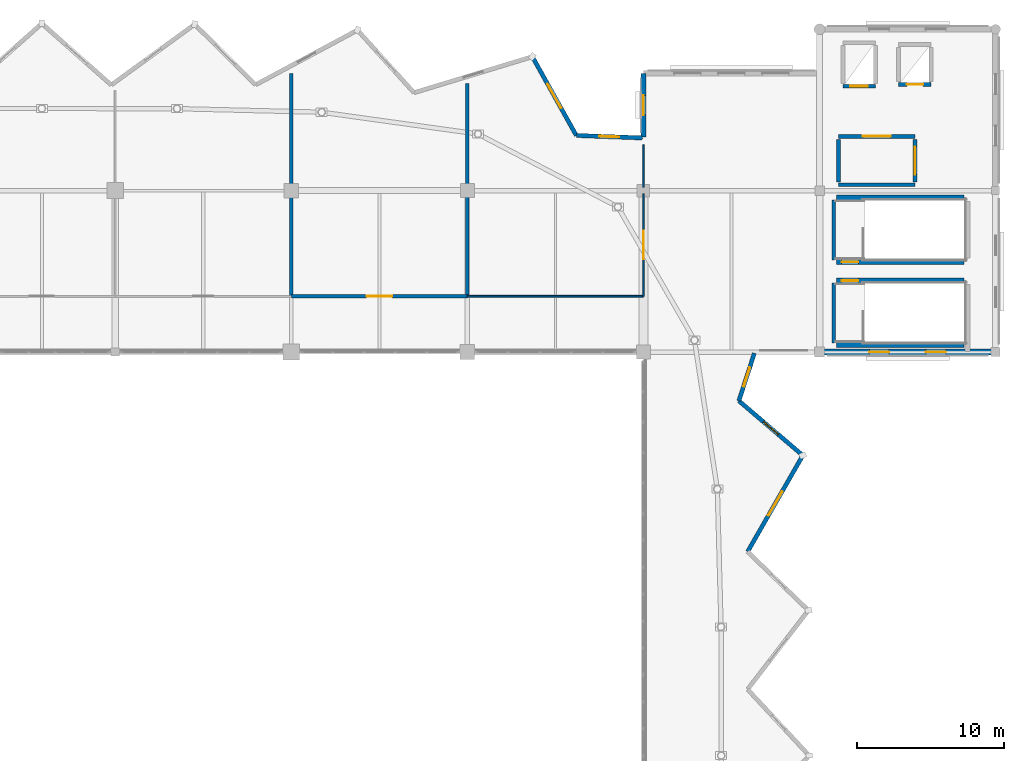
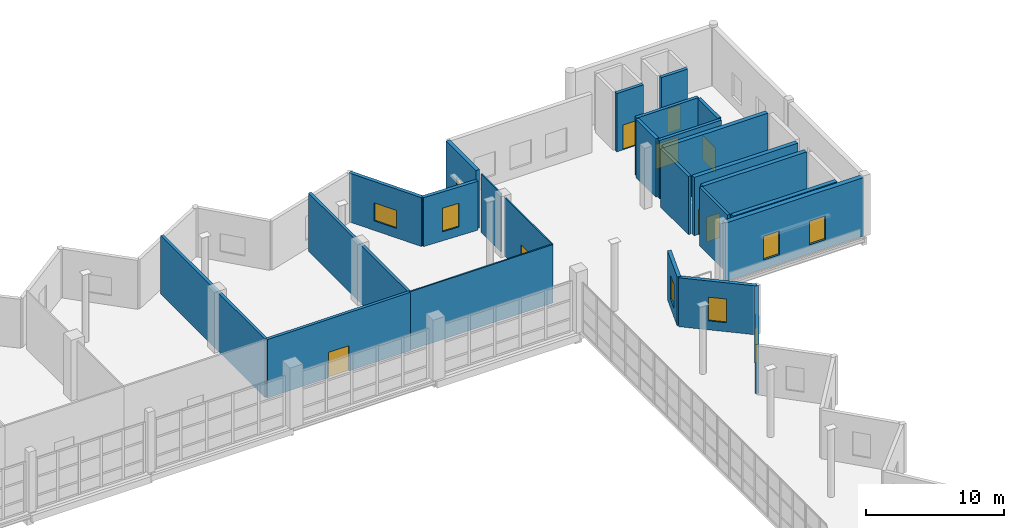
# One storey, part 43 of 49: 25 walls, 8 doors, 8 windows, 16 openings.
"""IFC4 building model written with IfcOpenShell, lengths in metres."""

from ifc_helpers import new_model, si_unit, direction, frame, frame_2d, origin, place, context, subcontext, project, spatial, rectangle, extrude, material, layer, layer_set, type_object, element, fill, save


model = new_model("IFC4")

# Units and contexts
model_context = context("Model", 3, precision=1e-05, world=origin(), true_north=direction((0.0, 1.0)))
body_context = subcontext(model_context, "Body", "Model", "MODEL_VIEW")
ifc_project = project(units=[si_unit("LENGTHUNIT", "METRE"), si_unit("AREAUNIT", "SQUARE_METRE"), si_unit("VOLUMEUNIT", "CUBIC_METRE"), si_unit("PLANEANGLEUNIT", "RADIAN"), si_unit("MASSUNIT", "GRAM", prefix="KILO")], contexts=[model_context])

# Site, building, storey
site_placement = place(None, origin())
site = spatial("IfcSite", under=ifc_project, at=site_placement, CompositionType="ELEMENT")
building_placement = place(site_placement, origin())
building = spatial("IfcBuilding", under=site, at=building_placement, Name="Luwafu Chhajja Arena", CompositionType="ELEMENT")
storey_placement = place(building_placement, frame((0.0, 0.0, 24.300048828125)))
storey = spatial("IfcBuildingStorey", under=building, at=storey_placement, Name="L05", CompositionType="ELEMENT", Elevation=24.300048828125)

# Wall, opening, door
ifc_material_1 = material(Name="Concrete blockwork masonry", Category="masonry")
ifc_layer_1 = layer(ifc_material_1, 0.239990234375, Name="Concrete blockwork masonry")
ifc_layer_set_1 = layer_set([ifc_layer_1], Name="Concrete blockwork masonry")
wall_type_1 = type_object("IfcWallType", Name="Compartment Masonry Partition 240", PredefinedType="PARTITIONING", material=ifc_layer_set_1)
wall_1_placement = place(storey_placement, frame((116.0, 80.800048828125, 0.0), z_axis=(0.0, 0.0, 1.0), x_axis=(1.0, 0.0, 0.0)))
wall_1 = element("IfcWall", 1, at=wall_1_placement, inside=storey, type_object=wall_type_1, Name="L05 Internal Partition 0355", PredefinedType="PARTITIONING", context=body_context, shape_type="SweptSolid", body=[
    extrude(rectangle(XDim=12.0, YDim=0.239990234375, at=frame_2d((6.0, 0.0))), origin(), (0.0, 0.0, 1.0), 5.179931640625),
])
opening_1_placement = place(wall_1_placement, frame((5.125, 0.0, 0.0)))
opening_1 = element("IfcOpeningElement", 2, at=opening_1_placement, cuts=wall_1, Name="Opening DR-09", PredefinedType="OPENING", context=body_context, shape_type="SweptSolid", body=[
    extrude(rectangle(XDim=1.75, YDim=2.25, at=frame_2d((0.875, 1.125))), frame((0.0, 0.1298828125, 0.0), z_axis=(0.0, -1.0, 0.0), x_axis=(1.0, 0.0, 0.0)), (0.0, 0.0, 1.0), 0.260009765625),
])
ifc_material_2 = material(Name="Powder-coated steel fire leaf", Category="steel")
door_type_1 = type_object("IfcDoorType", Name="DR-09", OperationType="DOUBLE_DOOR_SINGLE_SWING", PredefinedType="DOOR", material=ifc_material_2)
door_1_placement = place(opening_1_placement, origin())
door_1 = element("IfcDoor", 3, at=door_1_placement, inside=storey, type_object=door_type_1, Name="L05 Interior Door L05-D031", OperationType="DOUBLE_DOOR_SINGLE_SWING", OverallHeight=2.25, OverallWidth=1.75, PredefinedType="DOOR", context=body_context, shape_type="SweptSolid", body=[
    extrude(rectangle(XDim=1.75, YDim=2.25, at=frame_2d((0.875, 1.125))), frame((0.0, 0.02490234375, 0.0), z_axis=(0.0, -1.0, 0.0), x_axis=(1.0, 0.0, 0.0)), (0.0, 0.0, 1.0), 0.050048828125),
])
fill(opening_1, door_1)

# Walls
wall_2_placement = place(storey_placement, frame((116.0, 80.800048828125, 0.0), z_axis=(0.0, 0.0, 1.0), x_axis=(0.0, 1.0, 0.0)))
element("IfcWall", 4, at=wall_2_placement, inside=storey, type_object=wall_type_1, Name="L05 Internal Partition 0368", PredefinedType="PARTITIONING", context=body_context, shape_type="SweptSolid", body=[
    extrude(rectangle(XDim=15.184326171875, YDim=0.239990234375, at=frame_2d((7.59228515625, 0.0))), origin(), (0.0, 0.0, 1.0), 5.179931640625),
])
wall_3_placement = place(storey_placement, frame((128.0, 80.800048828125, 0.0), z_axis=(0.0, 0.0, 1.0), x_axis=(0.0, 1.0, 0.0)))
element("IfcWall", 5, at=wall_3_placement, inside=storey, type_object=wall_type_1, Name="L05 Internal Partition 0369", PredefinedType="PARTITIONING", context=body_context, shape_type="SweptSolid", body=[
    extrude(rectangle(XDim=14.48779296875, YDim=0.239990234375, at=frame_2d((7.243896484375, 0.0))), origin(), (0.0, 0.0, 1.0), 5.179931640625),
])

# Wall, opening, door
ifc_material_3 = material(Name="Gypsum plasterboard partition")
ifc_layer_2 = layer(ifc_material_3, 0.10009765625, Name="Gypsum plasterboard partition")
ifc_layer_set_2 = layer_set([ifc_layer_2], Name="Gypsum plasterboard partition")
wall_type_2 = type_object("IfcWallType", Name="Drywall Lining Partition 100", PredefinedType="PARTITIONING", material=ifc_layer_set_2)
wall_4_placement = place(storey_placement, frame((140.0, 80.800048828125, 0.0), z_axis=(0.0, 0.0, 1.0), x_axis=(0.0, 1.0, 0.0)))
wall_4 = element("IfcWall", 6, at=wall_4_placement, inside=storey, type_object=wall_type_2, Name="L05 Internal Partition 0340", PredefinedType="PARTITIONING", context=body_context, shape_type="SweptSolid", body=[
    extrude(rectangle(XDim=6.97998046875, YDim=0.10009765625, at=frame_2d((3.489990234375, 0.0))), origin(), (0.0, 0.0, 1.0), 5.179931640625),
])
opening_2_placement = place(wall_4_placement, frame((2.514892578125, 0.0, 0.0)))
opening_2 = element("IfcOpeningElement", 7, at=opening_2_placement, cuts=wall_4, Name="Opening DR-25", PredefinedType="OPENING", context=body_context, shape_type="SweptSolid", body=[
    extrude(rectangle(XDim=1.949951171875, YDim=2.39990234375, at=frame_2d((0.97509765625, 1.199951171875))), frame((0.0, 0.06005859375, 0.0), z_axis=(0.0, -1.0, 0.0), x_axis=(1.0, 0.0, 0.0)), (0.0, 0.0, 1.0), 0.1201171875),
])
ifc_material_4 = material(Name="Anodised bronze glazed double door")
door_type_2 = type_object("IfcDoorType", Name="DR-25", OperationType="DOUBLE_DOOR_SINGLE_SWING", PredefinedType="DOOR", material=ifc_material_4)
door_2_placement = place(opening_2_placement, origin())
door_2 = element("IfcDoor", 8, at=door_2_placement, inside=storey, type_object=door_type_2, Name="L05 Interior Door L05-D020", OperationType="DOUBLE_DOOR_SINGLE_SWING", OverallHeight=2.39990234375, OverallWidth=1.949951171875, PredefinedType="DOOR", context=body_context, shape_type="SweptSolid", body=[
    extrude(rectangle(XDim=1.949951171875, YDim=2.39990234375, at=frame_2d((0.97509765625, 1.199951171875))), frame((0.0, 0.02490234375, 0.0), z_axis=(0.0, -1.0, 0.0), x_axis=(1.0, 0.0, 0.0)), (0.0, 0.0, 1.0), 0.050048828125),
])
fill(opening_2, door_2)

# Wall
wall_5_placement = place(storey_placement, frame((140.0, 88.219970703125, 0.0), z_axis=(0.0, 0.0, 1.0), x_axis=(0.0, 1.0, 0.0)))
element("IfcWall", 9, at=wall_5_placement, inside=storey, type_object=wall_type_2, Name="L05 Internal Partition 0341", PredefinedType="PARTITIONING", context=body_context, shape_type="SweptSolid", body=[
    extrude(rectangle(XDim=2.892333984375, YDim=0.10009765625, at=frame_2d((1.4462890625, 0.0))), origin(), (0.0, 0.0, 1.0), 5.179931640625),
])

# Wall, opening, door
ifc_material_5 = material(Name="Concrete C40/50", Category="concrete")
ifc_layer_3 = layer(ifc_material_5, 0.260009765625, Name="Concrete C40/50")
ifc_layer_set_3 = layer_set([ifc_layer_3], Name="Concrete C40/50")
wall_type_3 = type_object("IfcWallType", Name="Firefighting Lobby Wall 260", PredefinedType="SOLIDWALL", material=ifc_layer_set_3)
wall_6_placement = place(storey_placement, frame((153.300048828125, 91.699951171875, 0.0), z_axis=(0.0, 0.0, 1.0), x_axis=(1.0, 0.0, 0.0)))
wall_6 = element("IfcWall", 10, at=wall_6_placement, inside=storey, type_object=wall_type_3, Name="L05 Core C4 Firefighting Lobby Wall N", PredefinedType="SOLIDWALL", context=body_context, shape_type="SweptSolid", body=[
    extrude(rectangle(XDim=5.199951171875, YDim=0.260009765625, at=frame_2d((2.60009765625, 0.0))), origin(), (0.0, 0.0, 1.0), 5.179931640625),
])
opening_3_placement = place(wall_6_placement, frame((1.64990234375, 0.0, 0.0)))
opening_3 = element("IfcOpeningElement", 11, at=opening_3_placement, cuts=wall_6, Name="Opening DR-07", PredefinedType="OPENING", context=body_context, shape_type="SweptSolid", body=[
    extrude(rectangle(XDim=1.89990234375, YDim=2.199951171875, at=frame_2d((0.949951171875, 1.10009765625))), frame((0.0, 0.139892578125, 0.0), z_axis=(0.0, -1.0, 0.0), x_axis=(1.0, 0.0, 0.0)), (0.0, 0.0, 1.0), 0.280029296875),
])
ifc_material_6 = material(Name="Fire-rated hardwood and vision panel", Category="wood")
door_type_3 = type_object("IfcDoorType", Name="DR-07", OperationType="DOUBLE_DOOR_SINGLE_SWING", PredefinedType="DOOR", material=ifc_material_6)
door_3_placement = place(opening_3_placement, origin())
door_3 = element("IfcDoor", 12, at=door_3_placement, inside=storey, type_object=door_type_3, Name="L05 Firefighting Lobby C4 Door L05-D015", OperationType="DOUBLE_DOOR_SINGLE_SWING", OverallHeight=2.199951171875, OverallWidth=1.89990234375, PredefinedType="DOOR", context=body_context, shape_type="SweptSolid", body=[
    extrude(rectangle(XDim=1.89990234375, YDim=2.199951171875, at=frame_2d((0.949951171875, 1.10009765625))), frame((0.0, 0.02490234375, 0.0), z_axis=(0.0, -1.0, 0.0), x_axis=(1.0, 0.0, 0.0)), (0.0, 0.0, 1.0), 0.050048828125),
])
fill(opening_3, door_3)

# Walls
wall_7_placement = place(storey_placement, frame((153.300048828125, 88.39990234375, 0.0), z_axis=(0.0, 0.0, 1.0), x_axis=(1.0, 0.0, 0.0)))
element("IfcWall", 13, at=wall_7_placement, inside=storey, type_object=wall_type_3, Name="L05 Core C4 Firefighting Lobby Wall S", PredefinedType="SOLIDWALL", context=body_context, shape_type="SweptSolid", body=[
    extrude(rectangle(XDim=5.199951171875, YDim=0.260009765625, at=frame_2d((2.60009765625, 0.0))), origin(), (0.0, 0.0, 1.0), 5.179931640625),
])
wall_8_placement = place(storey_placement, frame((153.300048828125, 88.60009765625, 0.0), z_axis=(0.0, 0.0, 1.0), x_axis=(0.0, 1.0, 0.0)))
element("IfcWall", 14, at=wall_8_placement, inside=storey, type_object=wall_type_3, Name="L05 Core C4 Firefighting Lobby Wall W", PredefinedType="SOLIDWALL", context=body_context, shape_type="SweptSolid", body=[
    extrude(rectangle(XDim=2.89990234375, YDim=0.260009765625, at=frame_2d((1.449951171875, 0.0))), origin(), (0.0, 0.0, 1.0), 5.179931640625),
])

# Wall, opening, door
wall_9_placement = place(storey_placement, frame((158.5, 88.60009765625, 0.0), z_axis=(0.0, 0.0, 1.0), x_axis=(0.0, 1.0, 0.0)))
wall_9 = element("IfcWall", 15, at=wall_9_placement, inside=storey, type_object=wall_type_3, Name="L05 Core C4 Firefighting Lobby Wall E", PredefinedType="SOLIDWALL", context=body_context, shape_type="SweptSolid", body=[
    extrude(rectangle(XDim=2.89990234375, YDim=0.260009765625, at=frame_2d((1.449951171875, 0.0))), origin(), (0.0, 0.0, 1.0), 5.179931640625),
])
opening_4_placement = place(wall_9_placement, frame((0.5, 0.0, 0.0)))
opening_4 = element("IfcOpeningElement", 16, at=opening_4_placement, cuts=wall_9, Name="Opening DR-07", PredefinedType="OPENING", context=body_context, shape_type="SweptSolid", body=[
    extrude(rectangle(XDim=1.89990234375, YDim=2.199951171875, at=frame_2d((0.949951171875, 1.10009765625))), frame((0.0, 0.139892578125, 0.0), z_axis=(0.0, -1.0, 0.0), x_axis=(1.0, 0.0, 0.0)), (0.0, 0.0, 1.0), 0.280029296875),
])
door_4_placement = place(opening_4_placement, origin())
door_4 = element("IfcDoor", 17, at=door_4_placement, inside=storey, type_object=door_type_3, Name="L05 Firefighting Lobby C4 Door L05-D016", OperationType="DOUBLE_DOOR_SINGLE_SWING", OverallHeight=2.199951171875, OverallWidth=1.89990234375, PredefinedType="DOOR", context=body_context, shape_type="SweptSolid", body=[
    extrude(rectangle(XDim=1.89990234375, YDim=2.199951171875, at=frame_2d((0.949951171875, 1.10009765625))), frame((0.0, 0.02490234375, 0.0), z_axis=(0.0, -1.0, 0.0), x_axis=(1.0, 0.0, 0.0)), (0.0, 0.0, 1.0), 0.050048828125),
])
fill(opening_4, door_4)

# Wall
ifc_material_7 = material(Name="Acoustic metal-stud gypsum board")
ifc_layer_4 = layer(ifc_material_7, 0.1201171875, Name="Acoustic metal-stud gypsum board")
ifc_layer_set_4 = layer_set([ifc_layer_4], Name="Acoustic metal-stud gypsum board")
wall_type_4 = type_object("IfcWallType", Name="Internal Room Partition 120", PredefinedType="PARTITIONING", material=ifc_layer_set_4)
wall_10_placement = place(storey_placement, frame((128.0, 80.800048828125, 0.0), z_axis=(0.0, 0.0, 1.0), x_axis=(1.0, 0.0, 0.0)))
element("IfcWall", 18, at=wall_10_placement, inside=storey, type_object=wall_type_4, Name="L05 Internal Partition 0356", PredefinedType="PARTITIONING", context=body_context, shape_type="SweptSolid", body=[
    extrude(rectangle(XDim=12.0, YDim=0.1201171875, at=frame_2d((6.0, 0.0))), origin(), (0.0, 0.0, 1.0), 5.179931640625),
])

# Wall, opening, door
ifc_material_8 = material(Name="Concrete C35/45", Category="concrete")
ifc_layer_5 = layer(ifc_material_8, 0.260009765625, Name="Concrete C35/45")
ifc_layer_set_5 = layer_set([ifc_layer_5], Name="Concrete C35/45")
wall_type_5 = type_object("IfcWallType", Name="Lift and Riser Shaft Wall 260", PredefinedType="SOLIDWALL", material=ifc_layer_set_5)
wall_11_placement = place(storey_placement, frame((153.590087890625, 95.114990234375, 0.0), z_axis=(0.0, 0.0, 1.0), x_axis=(1.0, 0.0, 0.0)))
wall_11 = element("IfcWall", 19, at=wall_11_placement, inside=storey, type_object=wall_type_5, Name="L05 Lift LF-04 Shaft Wall S", PredefinedType="SOLIDWALL", context=body_context, shape_type="SweptSolid", body=[
    extrude(rectangle(XDim=2.219970703125, YDim=0.260009765625, at=frame_2d((1.10986328125, 0.0))), origin(), (0.0, 0.0, 1.0), 5.179931640625),
])
opening_5_placement = place(wall_11_placement, frame((0.510009765625, 0.0, 0.0)))
opening_5 = element("IfcOpeningElement", 20, at=opening_5_placement, cuts=wall_11, Name="Opening LD-02", PredefinedType="OPENING", context=body_context, shape_type="SweptSolid", body=[
    extrude(rectangle(XDim=1.199951171875, YDim=2.199951171875, at=frame_2d((0.60009765625, 1.10009765625))), frame((0.0, 0.139892578125, 0.0), z_axis=(0.0, -1.0, 0.0), x_axis=(1.0, 0.0, 0.0)), (0.0, 0.0, 1.0), 0.280029296875),
])
ifc_material_9 = material(Name="Brushed stainless steel sliding leaves", Category="steel")
door_type_4 = type_object("IfcDoorType", Name="LD-02", OperationType="SLIDING_TO_LEFT", PredefinedType="DOOR", material=ifc_material_9)
door_5_placement = place(opening_5_placement, origin())
door_5 = element("IfcDoor", 21, at=door_5_placement, inside=storey, type_object=door_type_4, Name="L05 Lift LF-04 Landing Door L05-LD07", OperationType="SLIDING_TO_LEFT", OverallHeight=2.199951171875, OverallWidth=1.199951171875, PredefinedType="DOOR", context=body_context, shape_type="SweptSolid", body=[
    extrude(rectangle(XDim=1.199951171875, YDim=2.199951171875, at=frame_2d((0.60009765625, 1.10009765625))), frame((0.0, 0.02490234375, 0.0), z_axis=(0.0, -1.0, 0.0), x_axis=(1.0, 0.0, 0.0)), (0.0, 0.0, 1.0), 0.050048828125),
])
fill(opening_5, door_5)

wall_12_placement = place(storey_placement, frame((157.389892578125, 95.239990234375, 0.0), z_axis=(0.0, 0.0, 1.0), x_axis=(1.0, 0.0, 0.0)))
wall_12 = element("IfcWall", 22, at=wall_12_placement, inside=storey, type_object=wall_type_5, Name="L05 Lift LF-08 Shaft Wall S", PredefinedType="SOLIDWALL", context=body_context, shape_type="SweptSolid", body=[
    extrude(rectangle(XDim=2.22021484375, YDim=0.260009765625, at=frame_2d((1.110107421875, 0.0))), origin(), (0.0, 0.0, 1.0), 5.179931640625),
])
opening_6_placement = place(wall_12_placement, frame((0.56005859375, 0.0, 0.0)))
opening_6 = element("IfcOpeningElement", 23, at=opening_6_placement, cuts=wall_12, Name="Opening LD-01", PredefinedType="OPENING", context=body_context, shape_type="SweptSolid", body=[
    extrude(rectangle(XDim=1.10009765625, YDim=2.14990234375, at=frame_2d((0.550048828125, 1.074951171875))), frame((0.0, 0.139892578125, 0.0), z_axis=(0.0, -1.0, 0.0), x_axis=(1.0, 0.0, 0.0)), (0.0, 0.0, 1.0), 0.280029296875),
])
door_type_5 = type_object("IfcDoorType", Name="LD-01", OperationType="SLIDING_TO_LEFT", PredefinedType="DOOR", material=ifc_material_9)
door_6_placement = place(opening_6_placement, origin())
door_6 = element("IfcDoor", 24, at=door_6_placement, inside=storey, type_object=door_type_5, Name="L05 Lift LF-08 Landing Door L05-LD08", OperationType="SLIDING_TO_LEFT", OverallHeight=2.14990234375, OverallWidth=1.10009765625, PredefinedType="DOOR", context=body_context, shape_type="SweptSolid", body=[
    extrude(rectangle(XDim=1.10009765625, YDim=2.14990234375, at=frame_2d((0.550048828125, 1.074951171875))), frame((0.0, 0.02490234375, 0.0), z_axis=(0.0, -1.0, 0.0), x_axis=(1.0, 0.0, 0.0)), (0.0, 0.0, 1.0), 0.050048828125),
])
fill(opening_6, door_6)

# Wall, opening, window
ifc_material_10 = material(Name="Precast concrete C40/50", Category="concrete")
ifc_layer_6 = layer(ifc_material_10, 0.2900390625, Name="Precast concrete C40/50")
ifc_layer_set_6 = layer_set([ifc_layer_6], Name="Precast concrete C40/50")
wall_type_6 = type_object("IfcWallType", Name="Pleated Bowl Upper V-Fold Wall 290", PredefinedType="USERDEFINED", material=ifc_layer_set_6)
wall_13_placement = place(storey_placement, frame((147.10302734375, 63.394287109375, 0.0), z_axis=(0.0, 0.0, 1.0), x_axis=(0.497195545865, 0.86763851296, 0.0)))
wall_13 = element("IfcWall", 25, at=wall_13_placement, inside=storey, type_object=wall_type_6, Name="L05 Pleated Bowl V-Fold Wall 04", ObjectType="PLEATED FACADE WALL", PredefinedType="USERDEFINED", context=body_context, shape_type="SweptSolid", body=[
    extrude(rectangle(XDim=7.56201171875, YDim=0.2900390625, at=frame_2d((3.781005859375, 0.0))), origin(), (0.0, 0.0, 1.0), 4.33984375),
])
opening_7_placement = place(wall_13_placement, frame((2.8310546875, 0.0, 0.85009765625)))
opening_7 = element("IfcOpeningElement", 26, at=opening_7_placement, cuts=wall_13, Name="Opening WN-15", PredefinedType="OPENING", context=body_context, shape_type="SweptSolid", body=[
    extrude(rectangle(XDim=1.89990234375, YDim=1.60009765625, at=frame_2d((0.949951171875, 0.800048828125))), frame((0.0, 0.155029296875, 0.0), z_axis=(0.0, -1.0, 0.0), x_axis=(1.0, 0.0, 0.0)), (0.0, 0.0, 1.0), 0.31005859375),
])
ifc_material_11 = material(Name="Solar-control laminated glass", Category="glass")
window_type_1 = type_object("IfcWindowType", Name="Pleated Drum Inward-Fold Clerestory 1900x1600", PartitioningType="SINGLE_PANEL", PredefinedType="WINDOW", material=ifc_material_11)
window_1_placement = place(opening_7_placement, origin())
window_1 = element("IfcWindow", 27, at=window_1_placement, inside=storey, type_object=window_type_1, Name="L05 Pleated Bowl Lancet Window 132", OverallHeight=1.60009765625, OverallWidth=1.89990234375, PartitioningType="SINGLE_PANEL", PredefinedType="WINDOW", context=body_context, shape_type="SweptSolid", body=[
    extrude(rectangle(XDim=1.89990234375, YDim=1.60009765625, at=frame_2d((0.949951171875, 0.800048828125))), frame((0.0, 0.030029296875, 0.0), z_axis=(0.0, -1.0, 0.0), x_axis=(1.0, 0.0, 0.0)), (0.0, 0.0, 1.0), 0.06005859375),
])
fill(opening_7, window_1)

wall_14_placement = place(storey_placement, frame((150.86279296875, 69.955322265625, 0.0), z_axis=(0.0, 0.0, 1.0), x_axis=(-0.760445983194, 0.649401190824, 0.0)))
wall_14 = element("IfcWall", 28, at=wall_14_placement, inside=storey, type_object=wall_type_6, Name="L05 Pleated Bowl V-Fold Wall 05", ObjectType="PLEATED FACADE WALL", PredefinedType="USERDEFINED", context=body_context, shape_type="SweptSolid", body=[
    extrude(rectangle(XDim=5.731689453125, YDim=0.2900390625, at=frame_2d((2.86572265625, 0.0))), origin(), (0.0, 0.0, 1.0), 4.33984375),
])
opening_8_placement = place(wall_14_placement, frame((2.19091796875, 0.0, 0.800048828125)))
opening_8 = element("IfcOpeningElement", 29, at=opening_8_placement, cuts=wall_14, Name="Opening WN-17", PredefinedType="OPENING", context=body_context, shape_type="SweptSolid", body=[
    extrude(rectangle(XDim=1.35009765625, YDim=2.10009765625, at=frame_2d((0.675048828125, 1.050048828125))), frame((0.0, 0.155029296875, 0.0), z_axis=(0.0, -1.0, 0.0), x_axis=(1.0, 0.0, 0.0)), (0.0, 0.0, 1.0), 0.31005859375),
])
window_type_2 = type_object("IfcWindowType", Name="Exhibition Mezzanine Lancet Window 1350x2100", PartitioningType="SINGLE_PANEL", PredefinedType="WINDOW", material=ifc_material_11)
window_2_placement = place(opening_8_placement, origin())
window_2 = element("IfcWindow", 30, at=window_2_placement, inside=storey, type_object=window_type_2, Name="L05 Pleated Bowl Lancet Window 133", OverallHeight=2.10009765625, OverallWidth=1.35009765625, PartitioningType="SINGLE_PANEL", PredefinedType="WINDOW", context=body_context, shape_type="SweptSolid", body=[
    extrude(rectangle(XDim=1.35009765625, YDim=2.10009765625, at=frame_2d((0.675048828125, 1.050048828125))), frame((0.0, 0.030029296875, 0.0), z_axis=(0.0, -1.0, 0.0), x_axis=(1.0, 0.0, 0.0)), (0.0, 0.0, 1.0), 0.06005859375),
])
fill(opening_8, window_2)

wall_15_placement = place(storey_placement, frame((146.504150390625, 73.677490234375, 0.0), z_axis=(0.0, 0.0, 1.0), x_axis=(0.310230166493, 0.950661476972, 0.0)))
wall_15 = element("IfcWall", 31, at=wall_15_placement, inside=storey, type_object=wall_type_6, Name="L05 Pleated Bowl V-Fold Wall 06", ObjectType="PLEATED FACADE WALL", PredefinedType="USERDEFINED", context=body_context, shape_type="SweptSolid", body=[
    extrude(rectangle(XDim=3.41064453125, YDim=0.2900390625, at=frame_2d((1.705322265625, 0.0))), origin(), (0.0, 0.0, 1.0), 4.33984375),
])
opening_9_placement = place(wall_15_placement, frame((1.0302734375, 0.0, 0.800048828125)))
opening_9 = element("IfcOpeningElement", 32, at=opening_9_placement, cuts=wall_15, Name="Opening WN-17", PredefinedType="OPENING", context=body_context, shape_type="SweptSolid", body=[
    extrude(rectangle(XDim=1.35009765625, YDim=2.10009765625, at=frame_2d((0.675048828125, 1.050048828125))), frame((0.0, 0.155029296875, 0.0), z_axis=(0.0, -1.0, 0.0), x_axis=(1.0, 0.0, 0.0)), (0.0, 0.0, 1.0), 0.31005859375),
])
window_3_placement = place(opening_9_placement, origin())
window_3 = element("IfcWindow", 33, at=window_3_placement, inside=storey, type_object=window_type_2, Name="L05 Pleated Bowl Lancet Window 134", OverallHeight=2.10009765625, OverallWidth=1.35009765625, PartitioningType="SINGLE_PANEL", PredefinedType="WINDOW", context=body_context, shape_type="SweptSolid", body=[
    extrude(rectangle(XDim=1.35009765625, YDim=2.10009765625, at=frame_2d((0.675048828125, 1.050048828125))), frame((0.0, 0.030029296875, 0.0), z_axis=(0.0, -1.0, 0.0), x_axis=(1.0, 0.0, 0.0)), (0.0, 0.0, 1.0), 0.06005859375),
])
fill(opening_9, window_3)

wall_16_placement = place(storey_placement, frame((139.919921875, 91.594482421875, 0.0), z_axis=(0.0, 0.0, 1.0), x_axis=(-0.999296191983, 0.037511607381, 0.0)))
wall_16 = element("IfcWall", 34, at=wall_16_placement, inside=storey, type_object=wall_type_6, Name="L05 Pleated Bowl V-Fold Wall 09", ObjectType="PLEATED FACADE WALL", PredefinedType="USERDEFINED", context=body_context, shape_type="SweptSolid", body=[
    extrude(rectangle(XDim=4.497314453125, YDim=0.2900390625, at=frame_2d((2.24853515625, 0.0))), origin(), (0.0, 0.0, 1.0), 4.33984375),
])
opening_10_placement = place(wall_16_placement, frame((1.573486328125, 0.0, 0.800048828125)))
opening_10 = element("IfcOpeningElement", 35, at=opening_10_placement, cuts=wall_16, Name="Opening WN-17", PredefinedType="OPENING", context=body_context, shape_type="SweptSolid", body=[
    extrude(rectangle(XDim=1.35009765625, YDim=2.10009765625, at=frame_2d((0.675048828125, 1.050048828125))), frame((0.0, 0.155029296875, 0.0), z_axis=(0.0, -1.0, 0.0), x_axis=(1.0, 0.0, 0.0)), (0.0, 0.0, 1.0), 0.31005859375),
])
window_4_placement = place(opening_10_placement, origin())
window_4 = element("IfcWindow", 36, at=window_4_placement, inside=storey, type_object=window_type_2, Name="L05 Pleated Bowl Lancet Window 135", OverallHeight=2.10009765625, OverallWidth=1.35009765625, PartitioningType="SINGLE_PANEL", PredefinedType="WINDOW", context=body_context, shape_type="SweptSolid", body=[
    extrude(rectangle(XDim=1.35009765625, YDim=2.10009765625, at=frame_2d((0.675048828125, 1.050048828125))), frame((0.0, 0.030029296875, 0.0), z_axis=(0.0, -1.0, 0.0), x_axis=(1.0, 0.0, 0.0)), (0.0, 0.0, 1.0), 0.06005859375),
])
fill(opening_10, window_4)

wall_17_placement = place(storey_placement, frame((135.42578125, 91.76318359375, 0.0), z_axis=(0.0, 0.0, 1.0), x_axis=(-0.487306352228, 0.87323108, 0.0)))
wall_17 = element("IfcWall", 37, at=wall_17_placement, inside=storey, type_object=wall_type_6, Name="L05 Pleated Bowl V-Fold Wall 10", ObjectType="PLEATED FACADE WALL", PredefinedType="USERDEFINED", context=body_context, shape_type="SweptSolid", body=[
    extrude(rectangle(XDim=6.15283203125, YDim=0.2900390625, at=frame_2d((3.076416015625, 0.0))), origin(), (0.0, 0.0, 1.0), 4.33984375),
])
opening_11_placement = place(wall_17_placement, frame((2.12646484375, 0.0, 0.85009765625)))
opening_11 = element("IfcOpeningElement", 38, at=opening_11_placement, cuts=wall_17, Name="Opening WN-15", PredefinedType="OPENING", context=body_context, shape_type="SweptSolid", body=[
    extrude(rectangle(XDim=1.89990234375, YDim=1.60009765625, at=frame_2d((0.949951171875, 0.800048828125))), frame((0.0, 0.155029296875, 0.0), z_axis=(0.0, -1.0, 0.0), x_axis=(1.0, 0.0, 0.0)), (0.0, 0.0, 1.0), 0.31005859375),
])
window_5_placement = place(opening_11_placement, origin())
window_5 = element("IfcWindow", 39, at=window_5_placement, inside=storey, type_object=window_type_1, Name="L05 Pleated Bowl Lancet Window 136", OverallHeight=1.60009765625, OverallWidth=1.89990234375, PartitioningType="SINGLE_PANEL", PredefinedType="WINDOW", context=body_context, shape_type="SweptSolid", body=[
    extrude(rectangle(XDim=1.89990234375, YDim=1.60009765625, at=frame_2d((0.949951171875, 0.800048828125))), frame((0.0, 0.030029296875, 0.0), z_axis=(0.0, -1.0, 0.0), x_axis=(1.0, 0.0, 0.0)), (0.0, 0.0, 1.0), 0.06005859375),
])
fill(opening_11, window_5)

# Wall
ifc_layer_7 = layer(ifc_material_5, 0.35009765625, Name="Concrete C40/50")
ifc_layer_set_7 = layer_set([ifc_layer_7], Name="Concrete C40/50")
wall_type_7 = type_object("IfcWallType", Name="RC Core Shear Wall 350", PredefinedType="SOLIDWALL", material=ifc_layer_set_7)
wall_18_placement = place(storey_placement, frame((153.14990234375, 77.47802734375, 0.0), z_axis=(0.0, 0.0, 1.0), x_axis=(1.0, 0.0, 0.0)))
element("IfcWall", 40, at=wall_18_placement, inside=storey, type_object=wall_type_7, Name="L05 Stair ST-07 Core Shear Wall S", PredefinedType="SOLIDWALL", context=body_context, shape_type="SweptSolid", body=[
    extrude(rectangle(XDim=8.7001953125, YDim=0.35009765625, at=frame_2d((4.35009765625, 0.0))), origin(), (0.0, 0.0, 1.0), 5.179931640625),
])

# Wall, opening, door
wall_19_placement = place(storey_placement, frame((153.14990234375, 81.862060546875, 0.0), z_axis=(0.0, 0.0, 1.0), x_axis=(1.0, 0.0, 0.0)))
wall_19 = element("IfcWall", 41, at=wall_19_placement, inside=storey, type_object=wall_type_7, Name="L05 Stair ST-07 Core Shear Wall N", PredefinedType="SOLIDWALL", context=body_context, shape_type="SweptSolid", body=[
    extrude(rectangle(XDim=8.7001953125, YDim=0.35009765625, at=frame_2d((4.35009765625, 0.0))), origin(), (0.0, 0.0, 1.0), 5.179931640625),
])
opening_12_placement = place(wall_19_placement, frame((0.35009765625, 0.0, 0.0)))
opening_12 = element("IfcOpeningElement", 42, at=opening_12_placement, cuts=wall_19, Name="Opening DR-06", PredefinedType="OPENING", context=body_context, shape_type="SweptSolid", body=[
    extrude(rectangle(XDim=1.14990234375, YDim=2.199951171875, at=frame_2d((0.574951171875, 1.10009765625))), frame((0.0, 0.18505859375, 0.0), z_axis=(0.0, -1.0, 0.0), x_axis=(1.0, 0.0, 0.0)), (0.0, 0.0, 1.0), 0.3701171875),
])
ifc_material_12 = material(Name="Fire-rated hardwood and steel core", Category="steel")
door_type_6 = type_object("IfcDoorType", Name="DR-06", OperationType="NOTDEFINED", PredefinedType="DOOR", material=ifc_material_12)
door_7_placement = place(opening_12_placement, origin())
door_7 = element("IfcDoor", 43, at=door_7_placement, inside=storey, type_object=door_type_6, Name="L05 Escape Stair ST-07 Fire Door L05-D013", OperationType="SINGLE_SWING_RIGHT", OverallHeight=2.199951171875, OverallWidth=1.14990234375, PredefinedType="DOOR", context=body_context, shape_type="SweptSolid", body=[
    extrude(rectangle(XDim=1.14990234375, YDim=2.199951171875, at=frame_2d((0.574951171875, 1.10009765625))), frame((0.0, 0.02490234375, 0.0), z_axis=(0.0, -1.0, 0.0), x_axis=(1.0, 0.0, 0.0)), (0.0, 0.0, 1.0), 0.050048828125),
])
fill(opening_12, door_7)

wall_20_placement = place(storey_placement, frame((153.14990234375, 83.137939453125, 0.0), z_axis=(0.0, 0.0, 1.0), x_axis=(1.0, 0.0, 0.0)))
wall_20 = element("IfcWall", 44, at=wall_20_placement, inside=storey, type_object=wall_type_7, Name="L05 Stair ST-08 Core Shear Wall S", PredefinedType="SOLIDWALL", context=body_context, shape_type="SweptSolid", body=[
    extrude(rectangle(XDim=8.7001953125, YDim=0.35009765625, at=frame_2d((4.35009765625, 0.0))), origin(), (0.0, 0.0, 1.0), 5.179931640625),
])
opening_13_placement = place(wall_20_placement, frame((0.35009765625, 0.0, 0.0)))
opening_13 = element("IfcOpeningElement", 45, at=opening_13_placement, cuts=wall_20, Name="Opening DR-06", PredefinedType="OPENING", context=body_context, shape_type="SweptSolid", body=[
    extrude(rectangle(XDim=1.14990234375, YDim=2.199951171875, at=frame_2d((0.574951171875, 1.10009765625))), frame((0.0, 0.18505859375, 0.0), z_axis=(0.0, -1.0, 0.0), x_axis=(1.0, 0.0, 0.0)), (0.0, 0.0, 1.0), 0.3701171875),
])
door_8_placement = place(opening_13_placement, origin())
door_8 = element("IfcDoor", 46, at=door_8_placement, inside=storey, type_object=door_type_6, Name="L05 Escape Stair ST-08 Fire Door L05-D014", OperationType="SINGLE_SWING_LEFT", OverallHeight=2.199951171875, OverallWidth=1.14990234375, PredefinedType="DOOR", context=body_context, shape_type="SweptSolid", body=[
    extrude(rectangle(XDim=1.14990234375, YDim=2.199951171875, at=frame_2d((0.574951171875, 1.10009765625))), frame((0.0, 0.02490234375, 0.0), z_axis=(0.0, -1.0, 0.0), x_axis=(1.0, 0.0, 0.0)), (0.0, 0.0, 1.0), 0.050048828125),
])
fill(opening_13, door_8)

# Wall
wall_21_placement = place(storey_placement, frame((153.14990234375, 87.52197265625, 0.0), z_axis=(0.0, 0.0, 1.0), x_axis=(1.0, 0.0, 0.0)))
element("IfcWall", 47, at=wall_21_placement, inside=storey, type_object=wall_type_7, Name="L05 Stair ST-08 Core Shear Wall N", PredefinedType="SOLIDWALL", context=body_context, shape_type="SweptSolid", body=[
    extrude(rectangle(XDim=8.7001953125, YDim=0.35009765625, at=frame_2d((4.35009765625, 0.0))), origin(), (0.0, 0.0, 1.0), 5.179931640625),
])

# Wall, openings, windows
ifc_layer_8 = layer(ifc_material_5, 0.39990234375, Name="Concrete C40/50")
ifc_layer_set_8 = layer_set([ifc_layer_8], Name="Concrete C40/50")
wall_type_8 = type_object("IfcWallType", Name="RC Core Shear Wall 400", PredefinedType="SOLIDWALL", material=ifc_layer_set_8)
wall_22_placement = place(storey_placement, frame((152.219970703125, 77.0, 0.0), z_axis=(0.0, 0.0, 1.0), x_axis=(1.0, 0.0, 0.0)))
wall_22 = element("IfcWall", 48, at=wall_22_placement, inside=storey, type_object=wall_type_8, Name="L05 Exterior Wall WEX-L05-250", PredefinedType="SOLIDWALL", context=body_context, shape_type="SweptSolid", body=[
    extrude(rectangle(XDim=11.56005859375, YDim=0.39990234375, at=frame_2d((5.780029296875, 0.0))), origin(), (0.0, 0.0, 1.0), 5.18505859375),
])
opening_14_placement = place(wall_22_placement, frame((3.17822265625, 0.0, 0.800048828125)))
opening_14 = element("IfcOpeningElement", 49, at=opening_14_placement, cuts=wall_22, Name="Opening WN-17", PredefinedType="OPENING", context=body_context, shape_type="SweptSolid", body=[
    extrude(rectangle(XDim=1.35009765625, YDim=2.10009765625, at=frame_2d((0.675048828125, 1.050048828125))), frame((0.0, 0.2099609375, 0.0), z_axis=(0.0, -1.0, 0.0), x_axis=(1.0, 0.0, 0.0)), (0.0, 0.0, 1.0), 0.419921875),
])
opening_15_placement = place(wall_22_placement, frame((7.03173828125, 0.0, 0.800048828125)))
opening_15 = element("IfcOpeningElement", 50, at=opening_15_placement, cuts=wall_22, Name="Opening WN-17", PredefinedType="OPENING", context=body_context, shape_type="SweptSolid", body=[
    extrude(rectangle(XDim=1.35009765625, YDim=2.10009765625, at=frame_2d((0.675048828125, 1.050048828125))), frame((0.0, 0.2099609375, 0.0), z_axis=(0.0, -1.0, 0.0), x_axis=(1.0, 0.0, 0.0)), (0.0, 0.0, 1.0), 0.419921875),
])
window_6_placement = place(opening_14_placement, origin())
window_6 = element("IfcWindow", 51, at=window_6_placement, inside=storey, type_object=window_type_2, Name="L05 Facade Window 244", OverallHeight=2.10009765625, OverallWidth=1.35009765625, PartitioningType="SINGLE_PANEL", PredefinedType="WINDOW", context=body_context, shape_type="SweptSolid", body=[
    extrude(rectangle(XDim=1.35009765625, YDim=2.10009765625, at=frame_2d((0.675048828125, 1.050048828125))), frame((0.0, 0.030029296875, 0.0), z_axis=(0.0, -1.0, 0.0), x_axis=(1.0, 0.0, 0.0)), (0.0, 0.0, 1.0), 0.06005859375),
])
fill(opening_14, window_6)
window_7_placement = place(opening_15_placement, origin())
window_7 = element("IfcWindow", 52, at=window_7_placement, inside=storey, type_object=window_type_2, Name="L05 Facade Window 245", OverallHeight=2.10009765625, OverallWidth=1.35009765625, PartitioningType="SINGLE_PANEL", PredefinedType="WINDOW", context=body_context, shape_type="SweptSolid", body=[
    extrude(rectangle(XDim=1.35009765625, YDim=2.10009765625, at=frame_2d((0.675048828125, 1.050048828125))), frame((0.0, 0.030029296875, 0.0), z_axis=(0.0, -1.0, 0.0), x_axis=(1.0, 0.0, 0.0)), (0.0, 0.0, 1.0), 0.06005859375),
])
fill(opening_15, window_7)

# Wall, opening, window
ifc_layer_9 = layer(ifc_material_8, 0.320068359375, Name="Concrete C35/45")
ifc_layer_set_9 = layer_set([ifc_layer_9], Name="Concrete C35/45")
wall_type_9 = type_object("IfcWallType", Name="Sandstone Backed Exterior Wall 320", PredefinedType="SOLIDWALL", material=ifc_layer_set_9)
wall_23_placement = place(storey_placement, frame((140.0, 91.651611328125, 0.0), z_axis=(0.0, 0.0, 1.0), x_axis=(0.0, 1.0, 0.0)))
wall_23 = element("IfcWall", 53, at=wall_23_placement, inside=storey, type_object=wall_type_9, Name="L05 Exterior Wall WEX-L05-245", PredefinedType="SOLIDWALL", context=body_context, shape_type="SweptSolid", body=[
    extrude(rectangle(XDim=4.348388671875, YDim=0.320068359375, at=frame_2d((2.17431640625, 0.0))), origin(), (0.0, 0.0, 1.0), 5.18505859375),
])
opening_16_placement = place(wall_23_placement, frame((1.4990234375, 0.0, 0.800048828125)))
opening_16 = element("IfcOpeningElement", 54, at=opening_16_placement, cuts=wall_23, Name="Opening WN-17", PredefinedType="OPENING", context=body_context, shape_type="SweptSolid", body=[
    extrude(rectangle(XDim=1.35009765625, YDim=2.10009765625, at=frame_2d((0.675048828125, 1.050048828125))), frame((0.0, 0.169921875, 0.0), z_axis=(0.0, -1.0, 0.0), x_axis=(1.0, 0.0, 0.0)), (0.0, 0.0, 1.0), 0.340087890625),
])
window_8_placement = place(opening_16_placement, origin())
window_8 = element("IfcWindow", 55, at=window_8_placement, inside=storey, type_object=window_type_2, Name="L05 Facade Window 235", OverallHeight=2.10009765625, OverallWidth=1.35009765625, PartitioningType="SINGLE_PANEL", PredefinedType="WINDOW", context=body_context, shape_type="SweptSolid", body=[
    extrude(rectangle(XDim=1.35009765625, YDim=2.10009765625, at=frame_2d((0.675048828125, 1.050048828125))), frame((0.0, 0.030029296875, 0.0), z_axis=(0.0, -1.0, 0.0), x_axis=(1.0, 0.0, 0.0)), (0.0, 0.0, 1.0), 0.06005859375),
])
fill(opening_16, window_8)

# Walls
ifc_layer_10 = layer(ifc_material_8, 0.22998046875, Name="Concrete C35/45")
ifc_layer_set_10 = layer_set([ifc_layer_10], Name="Concrete C35/45")
wall_type_10 = type_object("IfcWallType", Name="Stair Enclosure Wall 230", PredefinedType="SOLIDWALL", material=ifc_layer_set_10)
for number, where, z_axis, x_axis, name in (
    (56, (152.9599609375, 77.6298828125, 0.0), (0.0, 0.0, 1.0), (0.0, 1.0, 0.0), "L05 Stair ST-07 Enclosure Wall W"),
    (57, (152.9599609375, 83.2900390625, 0.0), (0.0, 0.0, 1.0), (0.0, 1.0, 0.0), "L05 Stair ST-08 Enclosure Wall W"),
):
    element("IfcWall", number, at=place(storey_placement, frame(where, z_axis=z_axis, x_axis=x_axis)), inside=storey, type_object=wall_type_10, Name=name, PredefinedType="SOLIDWALL", context=body_context, shape_type="SweptSolid", body=[
        extrude(rectangle(XDim=4.080078125, YDim=0.22998046875, at=frame_2d((2.0400390625, 0.0))), origin(), (0.0, 0.0, 1.0), 5.179931640625),
    ])

save(model, "model.ifc")
